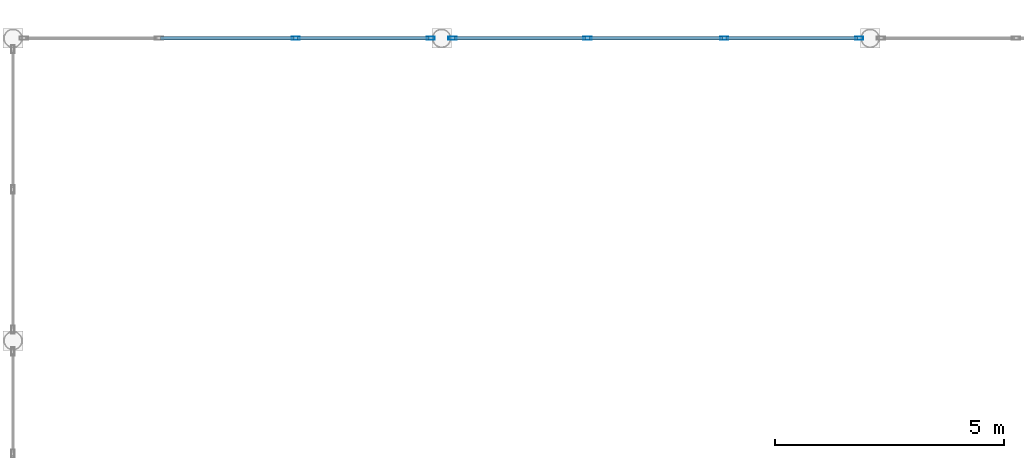
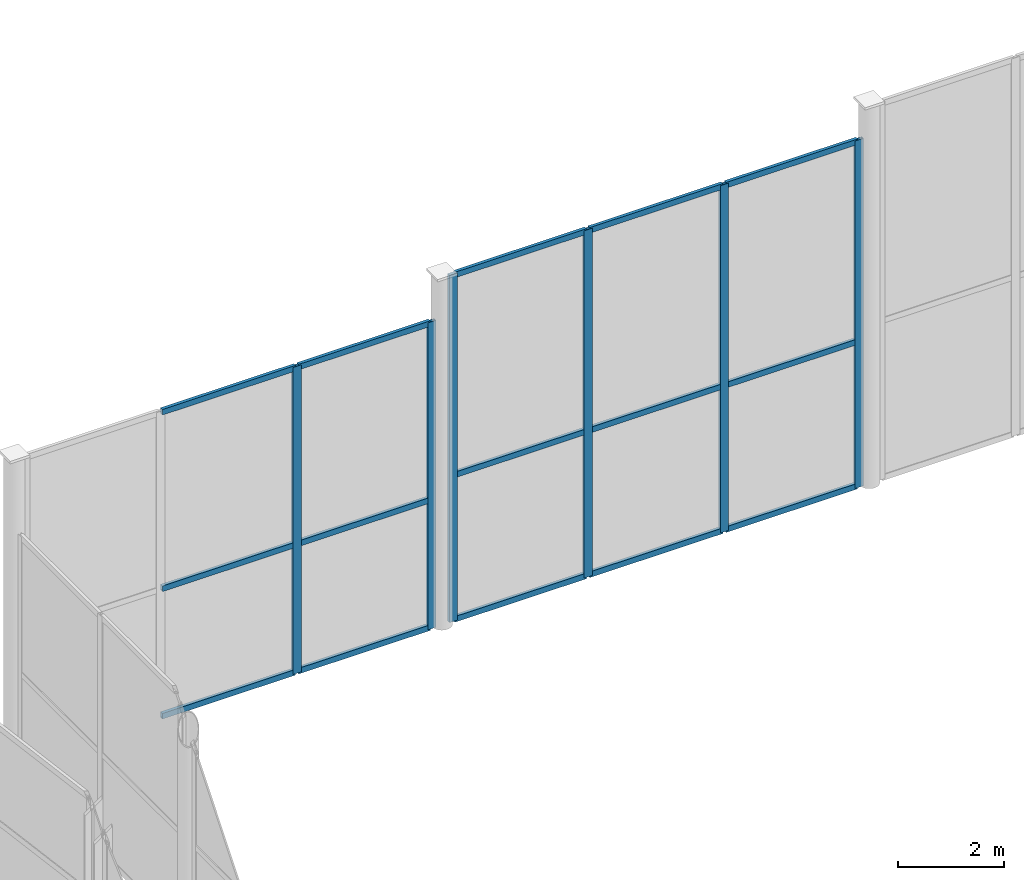
# One storey, part 39 of 77: 21 members, 2 elements without a shape of their own.
"""IFC4 building model written with IfcOpenShell, lengths in metres."""

from ifc_helpers import new_model, si_unit, direction, frame, origin, origin_2d, place, context, subcontext, project, spatial, hollow_rectangle, extrude, material, layer, layer_set, material_profile, profile_set, type_object, element, aggregate, save


model = new_model("IFC4")

# Units and contexts
model_context = context("Model", 3, precision=1e-05, world=origin(), true_north=direction((0.0, 1.0)))
body_context = subcontext(model_context, "Body", "Model", "MODEL_VIEW")
ifc_project = project(units=[si_unit("LENGTHUNIT", "METRE"), si_unit("AREAUNIT", "SQUARE_METRE"), si_unit("VOLUMEUNIT", "CUBIC_METRE"), si_unit("PLANEANGLEUNIT", "RADIAN"), si_unit("MASSUNIT", "GRAM", prefix="KILO")], contexts=[model_context])

# Site, building, storey
site_placement = place(None, origin())
site = spatial("IfcSite", under=ifc_project, at=site_placement, CompositionType="ELEMENT")
building_placement = place(site_placement, origin())
building = spatial("IfcBuilding", under=site, at=building_placement, Name="Quillay Park Conservatory", CompositionType="ELEMENT")
storey_placement = place(building_placement, frame((0.0, 0.0, 5.39990234375)))
storey = spatial("IfcBuildingStorey", under=building, at=storey_placement, Name="L01", CompositionType="ELEMENT", Elevation=5.39990234375)

# Curtain wall, members
ifc_material_1 = material(Name="Thermally Broken Anodised Aluminium 6063-T6", Category="aluminium")
ifc_layer = layer(ifc_material_1, 0.219970703125)
ifc_layer_set = layer_set([ifc_layer], Name="UNITISED CURTAIN WALL CONSERVATORY (Thermally Broken Anodised Aluminium 6063-T6)")
curtain_wall_type = type_object("IfcCurtainWallType", Name="UNITISED CURTAIN WALL CONSERVATORY", PredefinedType="USERDEFINED", material=ifc_layer_set)
curtain_wall_1_placement = place(storey_placement, origin())
curtain_wall_1 = element("IfcCurtainWall", 1, at=curtain_wall_1_placement, inside=storey, type_object=curtain_wall_type, Name="L01 Unitised Curtain Wall 148", ObjectType="UNITISED CURTAIN WALL", PredefinedType="USERDEFINED")
ifc_material_2 = material(Name="Thermally Broken Anodised Aluminium 6063-T6", Category="aluminium")
ifc_material_profile_1 = material_profile(ifc_material_2, hollow_rectangle(XDim=0.070068359375, YDim=0.179931640625, WallThickness=0.00390625, at=origin_2d()), Name="AL70x180x4")
ifc_profile_set_1 = profile_set([ifc_material_profile_1], Name="Thermally Broken Anodised Aluminium 6063-T6")
member_type_1 = type_object("IfcMemberType", Name="CURTAIN WALL MULLION 70 X180", PredefinedType="MULLION", material=ifc_profile_set_1)
member_1_placement = place(storey_placement, frame((36.81982421875, 113.39990234375, 0.0), z_axis=(0.0, 0.0, 1.0), x_axis=(0.0, 1.0, 0.0)))
member_1 = element("IfcMember", 2, at=member_1_placement, type_object=member_type_1, Name="CW-C1 mullion 3", PredefinedType="MULLION", context=body_context, shape_type="SweptSolid", body=[
    extrude(hollow_rectangle(XDim=0.070068359375, YDim=0.179931640625, WallThickness=0.00390625, at=origin_2d()), origin(), (0.0, 0.0, 1.0), 7.104248046875),
])
member_2_placement = place(storey_placement, frame((39.7685546875, 113.39990234375, 0.0), z_axis=(0.0, 0.0, 1.0), x_axis=(0.0, 1.0, 0.0)))
member_2 = element("IfcMember", 3, at=member_2_placement, type_object=member_type_1, Name="CW-C1 mullion 4", PredefinedType="MULLION", context=body_context, shape_type="SweptSolid", body=[
    extrude(hollow_rectangle(XDim=0.070068359375, YDim=0.179931640625, WallThickness=0.00390625, at=origin_2d()), origin(), (0.0, 0.0, 1.0), 7.104248046875),
])

curtain_wall_2_placement = place(storey_placement, origin())
curtain_wall_2 = element("IfcCurtainWall", 4, at=curtain_wall_2_placement, inside=storey, type_object=curtain_wall_type, Name="L01 Unitised Curtain Wall 149", ObjectType="UNITISED CURTAIN WALL", PredefinedType="USERDEFINED")
member_3_placement = place(storey_placement, frame((40.24267578125, 113.39990234375, 0.0), z_axis=(0.0, 0.0, 1.0), x_axis=(0.0, 1.0, 0.0)))
member_3 = element("IfcMember", 5, at=member_3_placement, type_object=member_type_1, Name="CW-C1 mullion 1", PredefinedType="MULLION", context=body_context, shape_type="SweptSolid", body=[
    extrude(hollow_rectangle(XDim=0.070068359375, YDim=0.179931640625, WallThickness=0.00390625, at=origin_2d()), origin(), (0.0, 0.0, 1.0), 8.037841796875),
])
member_4_placement = place(storey_placement, frame((43.19140625, 113.39990234375, 0.0), z_axis=(0.0, 0.0, 1.0), x_axis=(0.0, 1.0, 0.0)))
member_4 = element("IfcMember", 6, at=member_4_placement, type_object=member_type_1, Name="CW-C1 mullion 2", PredefinedType="MULLION", context=body_context, shape_type="SweptSolid", body=[
    extrude(hollow_rectangle(XDim=0.070068359375, YDim=0.179931640625, WallThickness=0.00390625, at=origin_2d()), origin(), (0.0, 0.0, 1.0), 8.037841796875),
])
member_5_placement = place(storey_placement, frame((46.17529296875, 113.39990234375, 0.0), z_axis=(0.0, 0.0, 1.0), x_axis=(0.0, 1.0, 0.0)))
member_5 = element("IfcMember", 7, at=member_5_placement, type_object=member_type_1, Name="CW-C1 mullion 3", PredefinedType="MULLION", context=body_context, shape_type="SweptSolid", body=[
    extrude(hollow_rectangle(XDim=0.070068359375, YDim=0.179931640625, WallThickness=0.00390625, at=origin_2d()), origin(), (0.0, 0.0, 1.0), 8.037841796875),
])
member_6_placement = place(storey_placement, frame((49.1240234375, 113.39990234375, 0.0), z_axis=(0.0, 0.0, 1.0), x_axis=(0.0, 1.0, 0.0)))
member_6 = element("IfcMember", 8, at=member_6_placement, type_object=member_type_1, Name="CW-C1 mullion 4", PredefinedType="MULLION", context=body_context, shape_type="SweptSolid", body=[
    extrude(hollow_rectangle(XDim=0.070068359375, YDim=0.179931640625, WallThickness=0.00390625, at=origin_2d()), origin(), (0.0, 0.0, 1.0), 8.037841796875),
])

# Member
ifc_material_3 = material(Name="Thermally Broken Anodised Aluminium 6063-T6", Category="aluminium")
ifc_material_profile_2 = material_profile(ifc_material_3, hollow_rectangle(XDim=0.070068359375, YDim=0.1298828125, WallThickness=0.003173828125, at=origin_2d()), Name="AL70x130x3.2")
ifc_profile_set_2 = profile_set([ifc_material_profile_2], Name="Thermally Broken Anodised Aluminium 6063-T6")
member_type_2 = type_object("IfcMemberType", Name="CURTAIN WALL TRANSOM 70 X130", PredefinedType="USERDEFINED", material=ifc_profile_set_2)
member_7_placement = place(storey_placement, frame((33.870849609375, 113.39990234375, 0.03515625), z_axis=(1.0, 0.0, 0.0), x_axis=(0.0, 1.0, 0.0)))
member_7 = element("IfcMember", 9, at=member_7_placement, type_object=member_type_2, Name="CW-C1 transom 2.1", ObjectType="TRANSOM", PredefinedType="USERDEFINED", context=body_context, shape_type="SweptSolid", body=[
    extrude(hollow_rectangle(XDim=0.070068359375, YDim=0.1298828125, WallThickness=0.003173828125, at=origin_2d()), origin(), (0.0, 0.0, 1.0), 2.913818359375),
])

member_8_placement = place(storey_placement, frame((33.870849609375, 113.39990234375, 2.98388671875), z_axis=(1.0, 0.0, 0.0), x_axis=(0.0, 1.0, 0.0)))
member_8 = element("IfcMember", 10, at=member_8_placement, type_object=member_type_2, Name="CW-C1 transom 2.2", ObjectType="TRANSOM", PredefinedType="USERDEFINED", context=body_context, shape_type="SweptSolid", body=[
    extrude(hollow_rectangle(XDim=0.070068359375, YDim=0.1298828125, WallThickness=0.003173828125, at=origin_2d()), origin(), (0.0, 0.0, 1.0), 2.913818359375),
])

member_9_placement = place(storey_placement, frame((33.870849609375, 113.39990234375, 7.0693359375), z_axis=(1.0, 0.0, 0.0), x_axis=(0.0, 1.0, 0.0)))
member_9 = element("IfcMember", 11, at=member_9_placement, type_object=member_type_2, Name="CW-C1 transom 2.3", ObjectType="TRANSOM", PredefinedType="USERDEFINED", context=body_context, shape_type="SweptSolid", body=[
    extrude(hollow_rectangle(XDim=0.070068359375, YDim=0.1298828125, WallThickness=0.003173828125, at=origin_2d()), origin(), (0.0, 0.0, 1.0), 2.913818359375),
])

member_10_placement = place(storey_placement, frame((36.854736328125, 113.39990234375, 0.03515625), z_axis=(1.0, 0.0, 0.0), x_axis=(0.0, 1.0, 0.0)))
member_10 = element("IfcMember", 12, at=member_10_placement, type_object=member_type_2, Name="CW-C1 transom 3.1", ObjectType="TRANSOM", PredefinedType="USERDEFINED", context=body_context, shape_type="SweptSolid", body=[
    extrude(hollow_rectangle(XDim=0.070068359375, YDim=0.1298828125, WallThickness=0.003173828125, at=origin_2d()), origin(), (0.0, 0.0, 1.0), 2.87890625),
])

member_11_placement = place(storey_placement, frame((36.854736328125, 113.39990234375, 2.98388671875), z_axis=(1.0, 0.0, 0.0), x_axis=(0.0, 1.0, 0.0)))
member_11 = element("IfcMember", 13, at=member_11_placement, type_object=member_type_2, Name="CW-C1 transom 3.2", ObjectType="TRANSOM", PredefinedType="USERDEFINED", context=body_context, shape_type="SweptSolid", body=[
    extrude(hollow_rectangle(XDim=0.070068359375, YDim=0.1298828125, WallThickness=0.003173828125, at=origin_2d()), origin(), (0.0, 0.0, 1.0), 2.87890625),
])

member_12_placement = place(storey_placement, frame((36.854736328125, 113.39990234375, 7.0693359375), z_axis=(1.0, 0.0, 0.0), x_axis=(0.0, 1.0, 0.0)))
member_12 = element("IfcMember", 14, at=member_12_placement, type_object=member_type_2, Name="CW-C1 transom 3.3", ObjectType="TRANSOM", PredefinedType="USERDEFINED", context=body_context, shape_type="SweptSolid", body=[
    extrude(hollow_rectangle(XDim=0.070068359375, YDim=0.1298828125, WallThickness=0.003173828125, at=origin_2d()), origin(), (0.0, 0.0, 1.0), 2.87890625),
])

aggregate(curtain_wall_1, [member_1, member_2, member_7, member_8, member_9, member_10, member_11, member_12])

member_13_placement = place(storey_placement, frame((40.277587890625, 113.39990234375, 0.03515625), z_axis=(1.0, 0.0, 0.0), x_axis=(0.0, 1.0, 0.0)))
member_13 = element("IfcMember", 15, at=member_13_placement, type_object=member_type_2, Name="CW-C1 transom 1.1", ObjectType="TRANSOM", PredefinedType="USERDEFINED", context=body_context, shape_type="SweptSolid", body=[
    extrude(hollow_rectangle(XDim=0.070068359375, YDim=0.1298828125, WallThickness=0.003173828125, at=origin_2d()), origin(), (0.0, 0.0, 1.0), 2.87890625),
])

member_14_placement = place(storey_placement, frame((40.277587890625, 113.39990234375, 3.3759765625), z_axis=(1.0, 0.0, 0.0), x_axis=(0.0, 1.0, 0.0)))
member_14 = element("IfcMember", 16, at=member_14_placement, type_object=member_type_2, Name="CW-C1 transom 1.2", ObjectType="TRANSOM", PredefinedType="USERDEFINED", context=body_context, shape_type="SweptSolid", body=[
    extrude(hollow_rectangle(XDim=0.070068359375, YDim=0.1298828125, WallThickness=0.003173828125, at=origin_2d()), origin(), (0.0, 0.0, 1.0), 2.87890625),
])

member_15_placement = place(storey_placement, frame((40.277587890625, 113.39990234375, 8.0029296875), z_axis=(1.0, 0.0, 0.0), x_axis=(0.0, 1.0, 0.0)))
member_15 = element("IfcMember", 17, at=member_15_placement, type_object=member_type_2, Name="CW-C1 transom 1.3", ObjectType="TRANSOM", PredefinedType="USERDEFINED", context=body_context, shape_type="SweptSolid", body=[
    extrude(hollow_rectangle(XDim=0.070068359375, YDim=0.1298828125, WallThickness=0.003173828125, at=origin_2d()), origin(), (0.0, 0.0, 1.0), 2.87890625),
])

member_16_placement = place(storey_placement, frame((43.226318359375, 113.39990234375, 0.03515625), z_axis=(1.0, 0.0, 0.0), x_axis=(0.0, 1.0, 0.0)))
member_16 = element("IfcMember", 18, at=member_16_placement, type_object=member_type_2, Name="CW-C1 transom 2.1", ObjectType="TRANSOM", PredefinedType="USERDEFINED", context=body_context, shape_type="SweptSolid", body=[
    extrude(hollow_rectangle(XDim=0.070068359375, YDim=0.1298828125, WallThickness=0.003173828125, at=origin_2d()), origin(), (0.0, 0.0, 1.0), 2.9140625),
])

member_17_placement = place(storey_placement, frame((43.226318359375, 113.39990234375, 3.3759765625), z_axis=(1.0, 0.0, 0.0), x_axis=(0.0, 1.0, 0.0)))
member_17 = element("IfcMember", 19, at=member_17_placement, type_object=member_type_2, Name="CW-C1 transom 2.2", ObjectType="TRANSOM", PredefinedType="USERDEFINED", context=body_context, shape_type="SweptSolid", body=[
    extrude(hollow_rectangle(XDim=0.070068359375, YDim=0.1298828125, WallThickness=0.003173828125, at=origin_2d()), origin(), (0.0, 0.0, 1.0), 2.9140625),
])

member_18_placement = place(storey_placement, frame((43.226318359375, 113.39990234375, 8.0029296875), z_axis=(1.0, 0.0, 0.0), x_axis=(0.0, 1.0, 0.0)))
member_18 = element("IfcMember", 20, at=member_18_placement, type_object=member_type_2, Name="CW-C1 transom 2.3", ObjectType="TRANSOM", PredefinedType="USERDEFINED", context=body_context, shape_type="SweptSolid", body=[
    extrude(hollow_rectangle(XDim=0.070068359375, YDim=0.1298828125, WallThickness=0.003173828125, at=origin_2d()), origin(), (0.0, 0.0, 1.0), 2.9140625),
])

member_19_placement = place(storey_placement, frame((46.210205078125, 113.39990234375, 0.03515625), z_axis=(1.0, 0.0, 0.0), x_axis=(0.0, 1.0, 0.0)))
member_19 = element("IfcMember", 21, at=member_19_placement, type_object=member_type_2, Name="CW-C1 transom 3.1", ObjectType="TRANSOM", PredefinedType="USERDEFINED", context=body_context, shape_type="SweptSolid", body=[
    extrude(hollow_rectangle(XDim=0.070068359375, YDim=0.1298828125, WallThickness=0.003173828125, at=origin_2d()), origin(), (0.0, 0.0, 1.0), 2.87890625),
])

member_20_placement = place(storey_placement, frame((46.210205078125, 113.39990234375, 3.3759765625), z_axis=(1.0, 0.0, 0.0), x_axis=(0.0, 1.0, 0.0)))
member_20 = element("IfcMember", 22, at=member_20_placement, type_object=member_type_2, Name="CW-C1 transom 3.2", ObjectType="TRANSOM", PredefinedType="USERDEFINED", context=body_context, shape_type="SweptSolid", body=[
    extrude(hollow_rectangle(XDim=0.070068359375, YDim=0.1298828125, WallThickness=0.003173828125, at=origin_2d()), origin(), (0.0, 0.0, 1.0), 2.87890625),
])

member_21_placement = place(storey_placement, frame((46.210205078125, 113.39990234375, 8.0029296875), z_axis=(1.0, 0.0, 0.0), x_axis=(0.0, 1.0, 0.0)))
member_21 = element("IfcMember", 23, at=member_21_placement, type_object=member_type_2, Name="CW-C1 transom 3.3", ObjectType="TRANSOM", PredefinedType="USERDEFINED", context=body_context, shape_type="SweptSolid", body=[
    extrude(hollow_rectangle(XDim=0.070068359375, YDim=0.1298828125, WallThickness=0.003173828125, at=origin_2d()), origin(), (0.0, 0.0, 1.0), 2.87890625),
])

aggregate(curtain_wall_2, [member_3, member_4, member_5, member_6, member_13, member_14, member_15, member_16, member_17, member_18, member_19, member_20, member_21])

save(model, "model.ifc")
